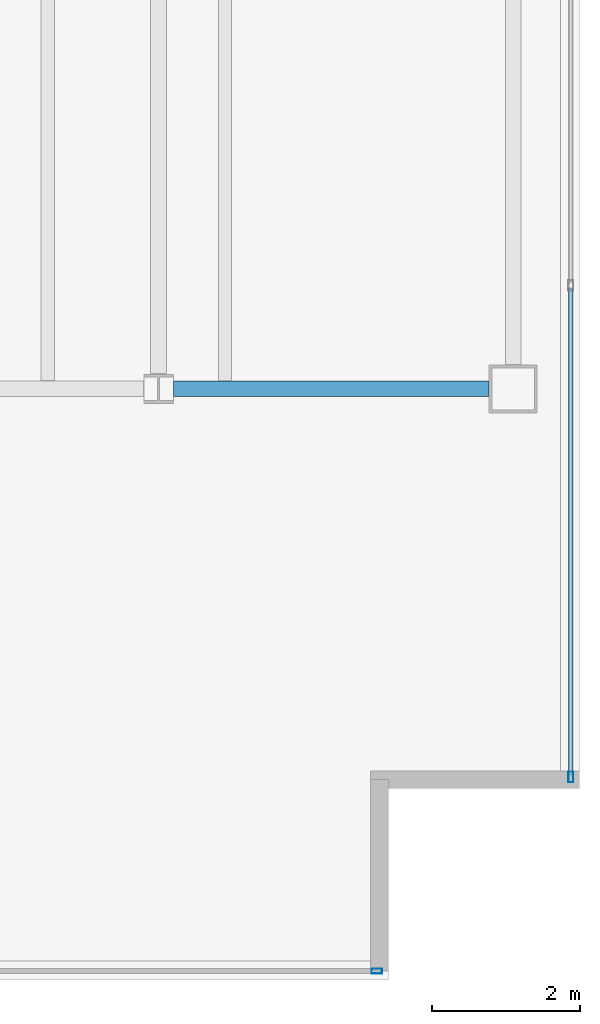
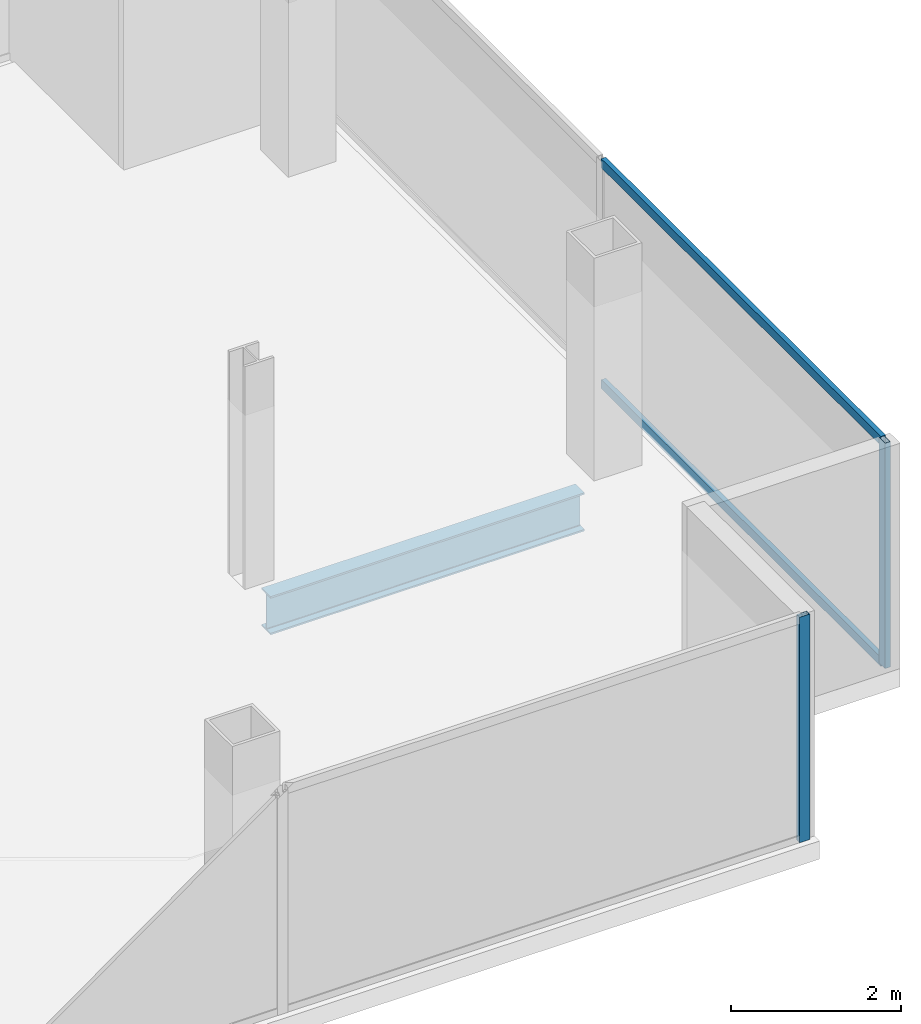
# One storey, part 14 of 23: 4 members, 1 beam, 2 elements without a shape of their own.
"""IFC4 building model written with IfcOpenShell, lengths in metres."""

from ifc_helpers import new_model, si_unit, direction, frame, origin, origin_2d, place, context, subcontext, project, spatial, hollow_rectangle, i_section, extrude, material, material_profile, profile_set, type_object, element, aggregate, save


model = new_model("IFC4")

# Units and contexts
model_context = context("Model", 3, precision=1e-05, world=origin(), true_north=direction((0.0, 1.0)))
body_context = subcontext(model_context, "Body", "Model", "MODEL_VIEW")
ifc_project = project(units=[si_unit("LENGTHUNIT", "METRE"), si_unit("AREAUNIT", "SQUARE_METRE"), si_unit("VOLUMEUNIT", "CUBIC_METRE"), si_unit("PLANEANGLEUNIT", "RADIAN"), si_unit("MASSUNIT", "GRAM", prefix="KILO")], contexts=[model_context])

# Site, building, storey
site_placement = place(None, origin())
site = spatial("IfcSite", under=ifc_project, at=site_placement, CompositionType="ELEMENT")
building_placement = place(site_placement, origin())
building = spatial("IfcBuilding", under=site, at=building_placement, Name="Cobrela Telecom Tower", CompositionType="ELEMENT")
storey_placement = place(building_placement, frame((0.0, 0.0, 262.14990234375)))
storey = spatial("IfcBuildingStorey", under=building, at=storey_placement, Name="L68", CompositionType="ELEMENT", Elevation=262.14990234375)

# Beam
ifc_material_1 = material(Name="Steel ASTM A992 Grade 50", Category="steel")
ifc_material_profile_1 = material_profile(ifc_material_1, i_section(OverallWidth=0.212890625, OverallDepth=0.549072265625, WebThickness=0.0146484375, FlangeThickness=0.023681640625, FilletRadius=0.013916015625, at=origin_2d()), Name="W21X93")
ifc_profile_set_1 = profile_set([ifc_material_profile_1], Name="Steel ASTM A992 Grade 50")
beam_type = type_object("IfcBeamType", Name="BM-GIRD-08", PredefinedType="USERDEFINED", material=ifc_profile_set_1)
beam_placement = place(storey_placement, frame((40.1044921875, 14.39990234375, -0.534423828125), z_axis=(1.0, 0.0, 0.0), x_axis=(0.0, 1.0, 0.0)))
element("IfcBeam", 1, at=beam_placement, inside=storey, type_object=beam_type, Name="L68 Primary Girder X09", ObjectType="GIRDER", PredefinedType="USERDEFINED", context=body_context, shape_type="SweptSolid", body=[
    extrude(i_section(OverallWidth=0.212890625, OverallDepth=0.549072265625, WebThickness=0.0146484375, FlangeThickness=0.023681640625, FilletRadius=0.013916015625, at=origin_2d()), origin(), (0.0, 0.0, 1.0), 4.265625),
])

# Curtain wall, member
ifc_material_2 = material(Name="Anodized Bronze Aluminium 6063-T6", Category="aluminium")
curtain_wall_type = type_object("IfcCurtainWallType", Name="CW-SYS-OFF-HI", PredefinedType="USERDEFINED", material=ifc_material_2)
curtain_wall_1_placement = place(storey_placement, origin())
curtain_wall_1 = element("IfcCurtainWall", 2, at=curtain_wall_1_placement, inside=storey, type_object=curtain_wall_type, Name="L68 Unitised Bronze Curtain Wall 12", ObjectType="UNITISED CURTAIN WALL", PredefinedType="USERDEFINED")
ifc_material_profile_2 = material_profile(ifc_material_2, hollow_rectangle(XDim=0.070068359375, YDim=0.139892578125, WallThickness=0.00390625, at=origin_2d()), Name="ALU 70x140x4")
ifc_profile_set_2 = profile_set([ifc_material_profile_2], Name="Anodized Bronze Aluminium 6063-T6")
member_type_1 = type_object("IfcMemberType", Name="CW-SYS-OFF-HI-MUL", PredefinedType="MULLION", material=ifc_profile_set_2)
member_1_placement = place(storey_placement, frame((45.47998046875, 9.14501953125, 0.0), z_axis=(0.0, 0.0, 1.0), x_axis=(1.0, 0.0, 0.0)))
member_1 = element("IfcMember", 3, at=member_1_placement, type_object=member_type_1, Name="CW-OFF-HI mullion 3", PredefinedType="MULLION", context=body_context, shape_type="SweptSolid", body=[
    extrude(hollow_rectangle(XDim=0.070068359375, YDim=0.139892578125, WallThickness=0.00390625, at=origin_2d()), origin(), (0.0, 0.0, 1.0), 3.239990234375),
])

curtain_wall_2_placement = place(storey_placement, origin())
curtain_wall_2 = element("IfcCurtainWall", 4, at=curtain_wall_2_placement, inside=storey, type_object=curtain_wall_type, Name="L68 Unitised Bronze Curtain Wall 15", ObjectType="UNITISED CURTAIN WALL", PredefinedType="USERDEFINED")
member_2_placement = place(storey_placement, frame((42.85498046875, 6.52001953125, 0.0), z_axis=(0.0, 0.0, 1.0), x_axis=(0.0, -1.0, 0.0)))
member_2 = element("IfcMember", 5, at=member_2_placement, type_object=member_type_1, Name="CW-OFF-HI mullion 1", PredefinedType="MULLION", context=body_context, shape_type="SweptSolid", body=[
    extrude(hollow_rectangle(XDim=0.070068359375, YDim=0.139892578125, WallThickness=0.00390625, at=origin_2d()), origin(), (0.0, 0.0, 1.0), 3.239990234375),
])
aggregate(curtain_wall_2, [member_2])

# Member
ifc_material_profile_3 = material_profile(ifc_material_2, hollow_rectangle(XDim=0.06494140625, YDim=0.1298828125, WallThickness=0.00390625, at=origin_2d()), Name="ALU 65x130x4")
ifc_profile_set_3 = profile_set([ifc_material_profile_3], Name="Anodized Bronze Aluminium 6063-T6")
member_type_2 = type_object("IfcMemberType", Name="CW-SYS-OFF-HI-TRN", PredefinedType="USERDEFINED", material=ifc_profile_set_3)
member_3_placement = place(storey_placement, frame((45.47998046875, 15.764892578125, 0.03271484375), z_axis=(0.0, -1.0, 0.0), x_axis=(1.0, 0.0, 0.0)))
member_3 = element("IfcMember", 6, at=member_3_placement, type_object=member_type_2, Name="CW-OFF-HI transom 2.1", ObjectType="TRANSOM", PredefinedType="USERDEFINED", context=body_context, shape_type="SweptSolid", body=[
    extrude(hollow_rectangle(XDim=0.06494140625, YDim=0.1298828125, WallThickness=0.00390625, at=origin_2d()), origin(), (0.0, 0.0, 1.0), 6.5849609375),
])

member_4_placement = place(storey_placement, frame((45.47998046875, 15.764892578125, 3.20751953125), z_axis=(0.0, -1.0, 0.0), x_axis=(1.0, 0.0, 0.0)))
member_4 = element("IfcMember", 7, at=member_4_placement, type_object=member_type_2, Name="CW-OFF-HI transom 2.2", ObjectType="TRANSOM", PredefinedType="USERDEFINED", context=body_context, shape_type="SweptSolid", body=[
    extrude(hollow_rectangle(XDim=0.06494140625, YDim=0.1298828125, WallThickness=0.00390625, at=origin_2d()), origin(), (0.0, 0.0, 1.0), 6.5849609375),
])

aggregate(curtain_wall_1, [member_1, member_3, member_4])

save(model, "model.ifc")
